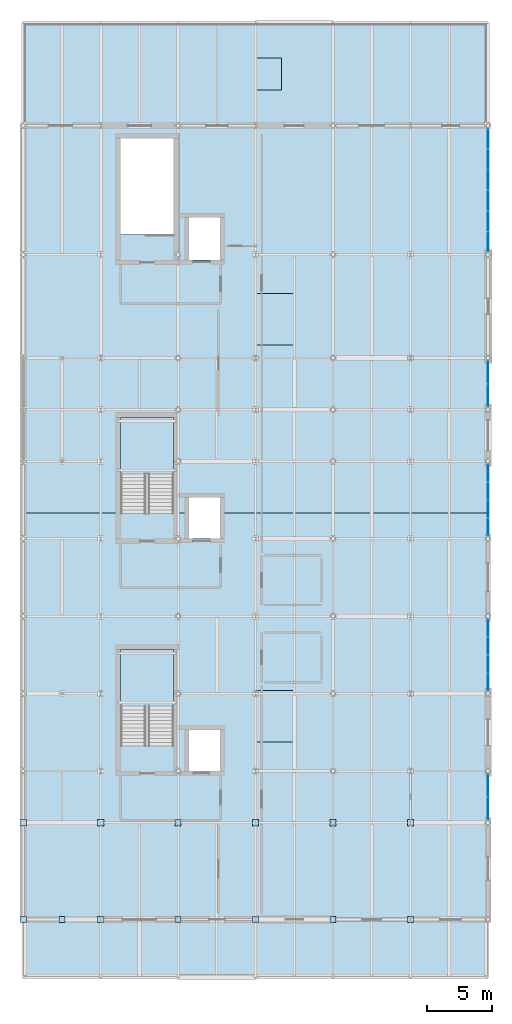
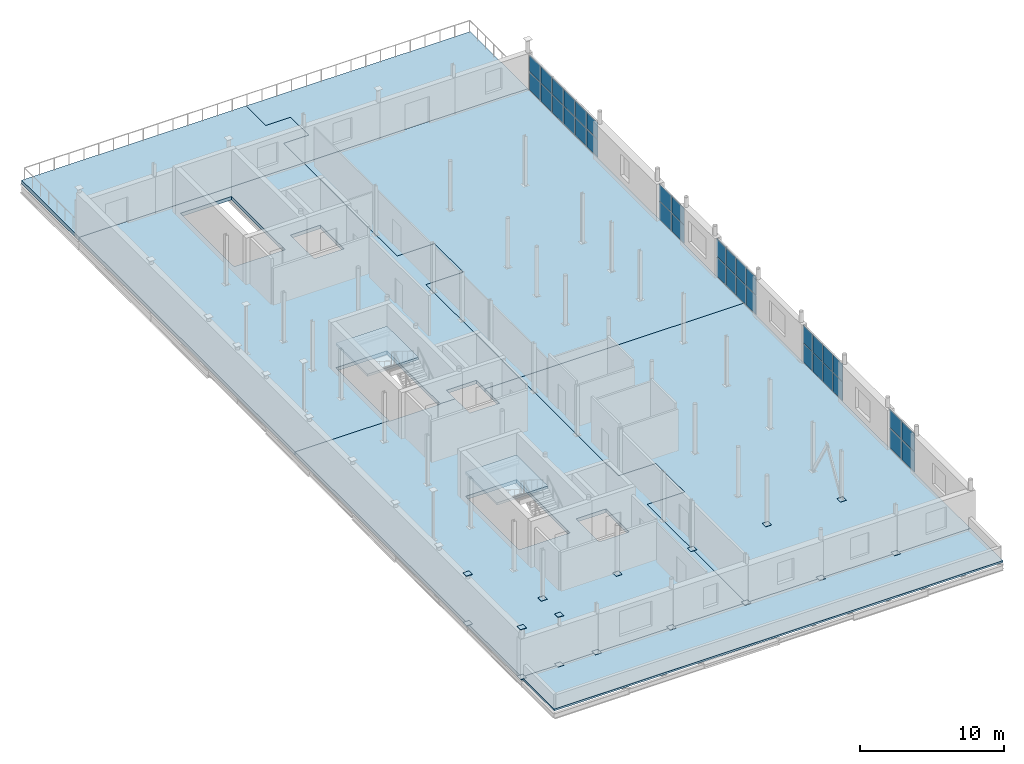
# One storey, part 22 of 30: 52 plates, 9 slabs, 7 elements without a shape of their own.
"""IFC4 building model written with IfcOpenShell, lengths in metres."""

from ifc_helpers import new_model, si_unit, direction, frame, origin, origin_2d, place, context, subcontext, project, spatial, polyline, rectangle, outline, extrude, material, layer, layer_set, type_object, element, aggregate, save


model = new_model("IFC4")

# Units and contexts
model_context = context("Model", 3, precision=1e-05, world=origin(), true_north=direction((0.0, 1.0)))
body_context = subcontext(model_context, "Body", "Model", "MODEL_VIEW")
ifc_project = project(units=[si_unit("LENGTHUNIT", "METRE"), si_unit("AREAUNIT", "SQUARE_METRE"), si_unit("VOLUMEUNIT", "CUBIC_METRE"), si_unit("PLANEANGLEUNIT", "RADIAN"), si_unit("MASSUNIT", "GRAM", prefix="KILO")], contexts=[model_context])

# Site, building, storey
site_placement = place(None, origin())
site = spatial("IfcSite", under=ifc_project, at=site_placement, CompositionType="ELEMENT")
building_placement = place(site_placement, origin())
building = spatial("IfcBuilding", under=site, at=building_placement, Name="Verrall Gate Interchange", CompositionType="ELEMENT")
storey_placement = place(building_placement, frame((0.0, 0.0, 19.39990234375)))
storey = spatial("IfcBuildingStorey", under=building, at=storey_placement, Name="L05", CompositionType="ELEMENT", Elevation=19.39990234375)

# Plates
ifc_material_1 = material(Name="Structural Steel CSA G40.21 350WT Cat 4", Category="steel")
ifc_layer_1 = layer(ifc_material_1, 0.0400390625)
ifc_layer_set_1 = layer_set([ifc_layer_1], Name="Structural Steel CSA G40.21 350WT Cat 4")
plate_type_1 = type_object("IfcPlateType", Name="BP-01 Base Plate 40", PredefinedType="USERDEFINED", material=ifc_layer_set_1)
for number, where, z_axis, x_axis, name in (
    (1, (0.0, 4.5, -0.02001953125), (0.0, 0.0, 1.0), (1.0, 0.0, 0.0), "L05 Hollow Column Transition Cap Plate 0014"),
    (2, (0.0, 4.5, 4.2001953125), (0.0, 0.0, 1.0), (1.0, 0.0, 0.0), "L05 Hollow Column Top Cap Plate 0015"),
    (3, (0.0, 12.0, -0.02001953125), (0.0, 0.0, 1.0), (1.0, 0.0, 0.0), "L05 Hollow Column Transition Cap Plate 0021"),
    (4, (0.0, 12.0, 4.2001953125), (0.0, 0.0, 1.0), (1.0, 0.0, 0.0), "L05 Hollow Column Top Cap Plate 0022"),
    (5, (3.0, 4.5, -0.02001953125), (0.0, 0.0, 1.0), (1.0, 0.0, 0.0), "L05 Hollow Column Transition Cap Plate 0106"),
    (6, (3.0, 4.5, 4.2001953125), (0.0, 0.0, 1.0), (1.0, 0.0, 0.0), "L05 Hollow Column Top Cap Plate 0107"),
    (7, (6.0, 4.5, -0.02001953125), (0.0, 0.0, 1.0), (1.0, 0.0, 0.0), "L05 Hollow Column Transition Cap Plate 0142"),
    (8, (6.0, 12.0, -0.02001953125), (0.0, 0.0, 1.0), (1.0, 0.0, 0.0), "L05 Hollow Column Transition Cap Plate 0150"),
    (9, (12.0, 4.5, -0.02001953125), (0.0, 0.0, 1.0), (1.0, 0.0, 0.0), "L05 Hollow Column Transition Cap Plate 0259"),
    (10, (12.0, 12.0, -0.02001953125), (0.0, 0.0, 1.0), (1.0, 0.0, 0.0), "L05 Hollow Column Transition Cap Plate 0267"),
    (11, (18.0, 4.5, -0.02001953125), (0.0, 0.0, 1.0), (1.0, 0.0, 0.0), "L05 Hollow Column Transition Cap Plate 0376"),
    (12, (18.0, 12.0, -0.02001953125), (0.0, 0.0, 1.0), (1.0, 0.0, 0.0), "L05 Hollow Column Transition Cap Plate 0384"),
    (13, (24.0, 4.5, -0.02001953125), (0.0, 0.0, 1.0), (1.0, 0.0, 0.0), "L05 Hollow Column Transition Cap Plate 0493"),
    (14, (24.0, 12.0, -0.02001953125), (0.0, 0.0, 1.0), (1.0, 0.0, 0.0), "L05 Hollow Column Transition Cap Plate 0501"),
    (15, (30.0, 4.5, -0.02001953125), (0.0, 0.0, 1.0), (1.0, 0.0, 0.0), "L05 Hollow Column Transition Cap Plate 0610"),
    (16, (30.0, 12.0, -0.02001953125), (0.0, 0.0, 1.0), (1.0, 0.0, 0.0), "L05 Hollow Column Transition Cap Plate 0618"),
):
    element("IfcPlate", number, at=place(storey_placement, frame(where, z_axis=z_axis, x_axis=x_axis)), inside=storey, type_object=plate_type_1, Name=name, ObjectType="BASE_PLATE", PredefinedType="USERDEFINED", context=body_context, shape_type="SweptSolid", body=[
        extrude(rectangle(XDim=0.47998046875, YDim=0.47998046875, at=origin_2d()), origin(), (0.0, 0.0, 1.0), 0.0400390625),
    ])

# Curtain wall, plates
ifc_material_2 = material(Name="Thermally Broken Anodized Aluminium Curtain Wall Framing", Category="aluminium")
curtain_wall_type_1 = type_object("IfcCurtainWallType", Name="CW-41 Unitized Curtain Wall 3612x3410", PredefinedType="NOTDEFINED", material=ifc_material_2)
curtain_wall_1_placement = place(storey_placement, origin())
curtain_wall_1 = element("IfcCurtainWall", 17, at=curtain_wall_1_placement, inside=storey, type_object=curtain_wall_type_1, Name="L05 Unitized Curtain Wall CW-L05-133", PredefinedType="NOTDEFINED")
ifc_material_3 = material(Name="Triple-Glazed Low-E Argon Insulated Curtain Panel (U=1.45)", Category="glass")
ifc_layer_2 = layer(ifc_material_3, 0.030029296875)
ifc_layer_set_2 = layer_set([ifc_layer_2], Name="Triple-Glazed Low-E Argon Insulated Curtain Panel (U=1.45)")
plate_type_2 = type_object("IfcPlateType", Name="CP-01 Curtain Glazing Panel 30", PredefinedType="CURTAIN_PANEL", material=ifc_layer_set_2)
plate_1_placement = place(storey_placement, frame((36.0, 13.11572265625, 0.06298828125), z_axis=(0.0, 0.0, 1.0), x_axis=(0.0, 1.0, 0.0)))
plate_1 = element("IfcPlate", 18, at=plate_1_placement, type_object=plate_type_2, Name="CW-L05-133 Glazing Panel 1.1", PredefinedType="CURTAIN_PANEL", context=body_context, shape_type="SweptSolid", body=[
    extrude(rectangle(XDim=1.717529296875, YDim=0.030029296875, at=origin_2d()), origin(), (0.0, 0.0, 1.0), 1.684814453125),
])
plate_2_placement = place(storey_placement, frame((36.0, 13.11572265625, 1.798828125), z_axis=(0.0, 0.0, 1.0), x_axis=(0.0, 1.0, 0.0)))
plate_2 = element("IfcPlate", 19, at=plate_2_placement, type_object=plate_type_2, Name="CW-L05-133 Glazing Panel 1.2", PredefinedType="CURTAIN_PANEL", context=body_context, shape_type="SweptSolid", body=[
    extrude(rectangle(XDim=1.717529296875, YDim=0.030029296875, at=origin_2d()), origin(), (0.0, 0.0, 1.0), 1.54833984375),
])
plate_3_placement = place(storey_placement, frame((36.0, 14.88427734375, 0.06298828125), z_axis=(0.0, 0.0, 1.0), x_axis=(0.0, 1.0, 0.0)))
plate_3 = element("IfcPlate", 20, at=plate_3_placement, type_object=plate_type_2, Name="CW-L05-133 Glazing Panel 2.1", PredefinedType="CURTAIN_PANEL", context=body_context, shape_type="SweptSolid", body=[
    extrude(rectangle(XDim=1.717529296875, YDim=0.030029296875, at=origin_2d()), origin(), (0.0, 0.0, 1.0), 1.684814453125),
])
plate_4_placement = place(storey_placement, frame((36.0, 14.88427734375, 1.798828125), z_axis=(0.0, 0.0, 1.0), x_axis=(0.0, 1.0, 0.0)))
plate_4 = element("IfcPlate", 21, at=plate_4_placement, type_object=plate_type_2, Name="CW-L05-133 Glazing Panel 2.2", PredefinedType="CURTAIN_PANEL", context=body_context, shape_type="SweptSolid", body=[
    extrude(rectangle(XDim=1.717529296875, YDim=0.030029296875, at=origin_2d()), origin(), (0.0, 0.0, 1.0), 1.54833984375),
])
aggregate(curtain_wall_1, [plate_1, plate_2, plate_3, plate_4])

ifc_material_4 = material(Name="Thermally Broken Anodized Aluminium Curtain Wall Framing", Category="aluminium")
curtain_wall_type_2 = type_object("IfcCurtainWallType", Name="CW-17 Unitized Curtain Wall 3631x3100", PredefinedType="NOTDEFINED", material=ifc_material_4)
curtain_wall_2_placement = place(storey_placement, origin())
curtain_wall_2 = element("IfcCurtainWall", 22, at=curtain_wall_2_placement, inside=storey, type_object=curtain_wall_type_2, Name="L05 Unitized Curtain Wall CW-L05-136", PredefinedType="NOTDEFINED")
plate_5_placement = place(storey_placement, frame((36.0, 45.11328125, 0.0546875), z_axis=(0.0, 0.0, 1.0), x_axis=(0.0, 1.0, 0.0)))
plate_5 = element("IfcPlate", 23, at=plate_5_placement, type_object=plate_type_2, Name="CW-L05-136 Glazing Panel 1.1", PredefinedType="CURTAIN_PANEL", context=body_context, shape_type="SweptSolid", body=[
    extrude(rectangle(XDim=1.7294921875, YDim=0.030029296875, at=origin_2d()), origin(), (0.0, 0.0, 1.0), 1.52490234375),
])
plate_6_placement = place(storey_placement, frame((36.0, 45.11328125, 1.6240234375), z_axis=(0.0, 0.0, 1.0), x_axis=(0.0, 1.0, 0.0)))
plate_6 = element("IfcPlate", 24, at=plate_6_placement, type_object=plate_type_2, Name="CW-L05-136 Glazing Panel 1.2", PredefinedType="CURTAIN_PANEL", context=body_context, shape_type="SweptSolid", body=[
    extrude(rectangle(XDim=1.7294921875, YDim=0.030029296875, at=origin_2d()), origin(), (0.0, 0.0, 1.0), 1.401611328125),
])
plate_7_placement = place(storey_placement, frame((36.0, 46.88671875, 0.0546875), z_axis=(0.0, 0.0, 1.0), x_axis=(0.0, 1.0, 0.0)))
plate_7 = element("IfcPlate", 25, at=plate_7_placement, type_object=plate_type_2, Name="CW-L05-136 Glazing Panel 2.1", PredefinedType="CURTAIN_PANEL", context=body_context, shape_type="SweptSolid", body=[
    extrude(rectangle(XDim=1.7294921875, YDim=0.030029296875, at=origin_2d()), origin(), (0.0, 0.0, 1.0), 1.52490234375),
])
plate_8_placement = place(storey_placement, frame((36.0, 46.88671875, 1.6240234375), z_axis=(0.0, 0.0, 1.0), x_axis=(0.0, 1.0, 0.0)))
plate_8 = element("IfcPlate", 26, at=plate_8_placement, type_object=plate_type_2, Name="CW-L05-136 Glazing Panel 2.2", PredefinedType="CURTAIN_PANEL", context=body_context, shape_type="SweptSolid", body=[
    extrude(rectangle(XDim=1.7294921875, YDim=0.030029296875, at=origin_2d()), origin(), (0.0, 0.0, 1.0), 1.401611328125),
])
aggregate(curtain_wall_2, [plate_5, plate_6, plate_7, plate_8])

ifc_material_5 = material(Name="Thermally Broken Anodized Aluminium Curtain Wall Framing", Category="aluminium")
curtain_wall_type_3 = type_object("IfcCurtainWallType", Name="CW-44 Unitized Curtain Wall 9612x3080", PredefinedType="NOTDEFINED", material=ifc_material_5)
curtain_wall_3_placement = place(storey_placement, origin())
curtain_wall_3 = element("IfcCurtainWall", 27, at=curtain_wall_3_placement, inside=storey, type_object=curtain_wall_type_3, Name="L05 Unitized Curtain Wall CW-L05-137", PredefinedType="NOTDEFINED")
plate_9_placement = place(storey_placement, frame((36.0, 57.013671875, 0.06298828125), z_axis=(0.0, 0.0, 1.0), x_axis=(0.0, 1.0, 0.0)))
plate_9 = element("IfcPlate", 28, at=plate_9_placement, type_object=plate_type_2, Name="CW-L05-137 Glazing Panel 1.1", PredefinedType="CURTAIN_PANEL", context=body_context, shape_type="SweptSolid", body=[
    extrude(rectangle(XDim=1.513427734375, YDim=0.030029296875, at=origin_2d()), origin(), (0.0, 0.0, 1.0), 1.51318359375),
])
plate_10_placement = place(storey_placement, frame((36.0, 57.013671875, 1.626953125), z_axis=(0.0, 0.0, 1.0), x_axis=(0.0, 1.0, 0.0)))
plate_10 = element("IfcPlate", 29, at=plate_10_placement, type_object=plate_type_2, Name="CW-L05-137 Glazing Panel 1.2", PredefinedType="CURTAIN_PANEL", context=body_context, shape_type="SweptSolid", body=[
    extrude(rectangle(XDim=1.513427734375, YDim=0.030029296875, at=origin_2d()), origin(), (0.0, 0.0, 1.0), 1.389892578125),
])
plate_11_placement = place(storey_placement, frame((36.0, 58.596923828125, 0.06298828125), z_axis=(0.0, 0.0, 1.0), x_axis=(0.0, 1.0, 0.0)))
plate_11 = element("IfcPlate", 30, at=plate_11_placement, type_object=plate_type_2, Name="CW-L05-137 Glazing Panel 2.1", PredefinedType="CURTAIN_PANEL", context=body_context, shape_type="SweptSolid", body=[
    extrude(rectangle(XDim=1.551025390625, YDim=0.030029296875, at=origin_2d()), origin(), (0.0, 0.0, 1.0), 1.51318359375),
])
plate_12_placement = place(storey_placement, frame((36.0, 58.596923828125, 1.626953125), z_axis=(0.0, 0.0, 1.0), x_axis=(0.0, 1.0, 0.0)))
plate_12 = element("IfcPlate", 31, at=plate_12_placement, type_object=plate_type_2, Name="CW-L05-137 Glazing Panel 2.2", PredefinedType="CURTAIN_PANEL", context=body_context, shape_type="SweptSolid", body=[
    extrude(rectangle(XDim=1.551025390625, YDim=0.030029296875, at=origin_2d()), origin(), (0.0, 0.0, 1.0), 1.389892578125),
])
plate_13_placement = place(storey_placement, frame((36.0, 60.198974609375, 0.06298828125), z_axis=(0.0, 0.0, 1.0), x_axis=(0.0, 1.0, 0.0)))
plate_13 = element("IfcPlate", 32, at=plate_13_placement, type_object=plate_type_2, Name="CW-L05-137 Glazing Panel 3.1", PredefinedType="CURTAIN_PANEL", context=body_context, shape_type="SweptSolid", body=[
    extrude(rectangle(XDim=1.551025390625, YDim=0.030029296875, at=origin_2d()), origin(), (0.0, 0.0, 1.0), 1.51318359375),
])
plate_14_placement = place(storey_placement, frame((36.0, 60.198974609375, 1.626953125), z_axis=(0.0, 0.0, 1.0), x_axis=(0.0, 1.0, 0.0)))
plate_14 = element("IfcPlate", 33, at=plate_14_placement, type_object=plate_type_2, Name="CW-L05-137 Glazing Panel 3.2", PredefinedType="CURTAIN_PANEL", context=body_context, shape_type="SweptSolid", body=[
    extrude(rectangle(XDim=1.551025390625, YDim=0.030029296875, at=origin_2d()), origin(), (0.0, 0.0, 1.0), 1.389892578125),
])
plate_15_placement = place(storey_placement, frame((36.0, 61.801025390625, 0.06298828125), z_axis=(0.0, 0.0, 1.0), x_axis=(0.0, 1.0, 0.0)))
plate_15 = element("IfcPlate", 34, at=plate_15_placement, type_object=plate_type_2, Name="CW-L05-137 Glazing Panel 4.1", PredefinedType="CURTAIN_PANEL", context=body_context, shape_type="SweptSolid", body=[
    extrude(rectangle(XDim=1.551025390625, YDim=0.030029296875, at=origin_2d()), origin(), (0.0, 0.0, 1.0), 1.51318359375),
])
plate_16_placement = place(storey_placement, frame((36.0, 61.801025390625, 1.626953125), z_axis=(0.0, 0.0, 1.0), x_axis=(0.0, 1.0, 0.0)))
plate_16 = element("IfcPlate", 35, at=plate_16_placement, type_object=plate_type_2, Name="CW-L05-137 Glazing Panel 4.2", PredefinedType="CURTAIN_PANEL", context=body_context, shape_type="SweptSolid", body=[
    extrude(rectangle(XDim=1.551025390625, YDim=0.030029296875, at=origin_2d()), origin(), (0.0, 0.0, 1.0), 1.389892578125),
])
plate_17_placement = place(storey_placement, frame((36.0, 63.403076171875, 0.06298828125), z_axis=(0.0, 0.0, 1.0), x_axis=(0.0, 1.0, 0.0)))
plate_17 = element("IfcPlate", 36, at=plate_17_placement, type_object=plate_type_2, Name="CW-L05-137 Glazing Panel 5.1", PredefinedType="CURTAIN_PANEL", context=body_context, shape_type="SweptSolid", body=[
    extrude(rectangle(XDim=1.551025390625, YDim=0.030029296875, at=origin_2d()), origin(), (0.0, 0.0, 1.0), 1.51318359375),
])
plate_18_placement = place(storey_placement, frame((36.0, 63.403076171875, 1.626953125), z_axis=(0.0, 0.0, 1.0), x_axis=(0.0, 1.0, 0.0)))
plate_18 = element("IfcPlate", 37, at=plate_18_placement, type_object=plate_type_2, Name="CW-L05-137 Glazing Panel 5.2", PredefinedType="CURTAIN_PANEL", context=body_context, shape_type="SweptSolid", body=[
    extrude(rectangle(XDim=1.551025390625, YDim=0.030029296875, at=origin_2d()), origin(), (0.0, 0.0, 1.0), 1.389892578125),
])
plate_19_placement = place(storey_placement, frame((36.0, 64.986083984375, 0.06298828125), z_axis=(0.0, 0.0, 1.0), x_axis=(0.0, 1.0, 0.0)))
plate_19 = element("IfcPlate", 38, at=plate_19_placement, type_object=plate_type_2, Name="CW-L05-137 Glazing Panel 6.1", PredefinedType="CURTAIN_PANEL", context=body_context, shape_type="SweptSolid", body=[
    extrude(rectangle(XDim=1.513427734375, YDim=0.030029296875, at=origin_2d()), origin(), (0.0, 0.0, 1.0), 1.51318359375),
])
plate_20_placement = place(storey_placement, frame((36.0, 64.986083984375, 1.626953125), z_axis=(0.0, 0.0, 1.0), x_axis=(0.0, 1.0, 0.0)))
plate_20 = element("IfcPlate", 39, at=plate_20_placement, type_object=plate_type_2, Name="CW-L05-137 Glazing Panel 6.2", PredefinedType="CURTAIN_PANEL", context=body_context, shape_type="SweptSolid", body=[
    extrude(rectangle(XDim=1.513427734375, YDim=0.030029296875, at=origin_2d()), origin(), (0.0, 0.0, 1.0), 1.389892578125),
])
aggregate(curtain_wall_3, [plate_9, plate_10, plate_11, plate_12, plate_13, plate_14, plate_15, plate_16, plate_17, plate_18, plate_19, plate_20])

ifc_material_6 = material(Name="Thermally Broken Anodized Aluminium Curtain Wall Framing", Category="aluminium")
curtain_wall_type_4 = type_object("IfcCurtainWallType", Name="CW-42 Unitized Curtain Wall 5612x3230", PredefinedType="NOTDEFINED", material=ifc_material_6)
curtain_wall_4_placement = place(storey_placement, origin())
curtain_wall_4 = element("IfcCurtainWall", 40, at=curtain_wall_4_placement, inside=storey, type_object=curtain_wall_type_4, Name="L05 Unitized Curtain Wall CW-L05-134", PredefinedType="NOTDEFINED")
ifc_material_7 = material(Name="Triple-Glazed Low-E Argon Insulated Curtain Panel (U=1.45)", Category="glass")
ifc_layer_3 = layer(ifc_material_7, 0.0400390625)
ifc_layer_set_3 = layer_set([ifc_layer_3], Name="Triple-Glazed Low-E Argon Insulated Curtain Panel (U=1.45)")
plate_type_3 = type_object("IfcPlateType", Name="CP-02 Curtain Glazing Panel 40", PredefinedType="CURTAIN_PANEL", material=ifc_layer_set_3)
plate_21_placement = place(storey_placement, frame((36.0, 22.91162109375, 0.0546875), z_axis=(0.0, 0.0, 1.0), x_axis=(0.0, 1.0, 0.0)))
plate_21 = element("IfcPlate", 41, at=plate_21_placement, type_object=plate_type_3, Name="CW-L05-134 Glazing Panel 1.1", PredefinedType="CURTAIN_PANEL", context=body_context, shape_type="SweptSolid", body=[
    extrude(rectangle(XDim=1.326416015625, YDim=0.0400390625, at=origin_2d()), origin(), (0.0, 0.0, 1.0), 1.602783203125),
])
plate_22_placement = place(storey_placement, frame((36.0, 22.91162109375, 1.70166015625), z_axis=(0.0, 0.0, 1.0), x_axis=(0.0, 1.0, 0.0)))
plate_22 = element("IfcPlate", 42, at=plate_22_placement, type_object=plate_type_3, Name="CW-L05-134 Glazing Panel 1.2", PredefinedType="CURTAIN_PANEL", context=body_context, shape_type="SweptSolid", body=[
    extrude(rectangle(XDim=1.326416015625, YDim=0.0400390625, at=origin_2d()), origin(), (0.0, 0.0, 1.0), 1.4736328125),
])
plate_23_placement = place(storey_placement, frame((36.0, 24.298583984375, 0.0546875), z_axis=(0.0, 0.0, 1.0), x_axis=(0.0, 1.0, 0.0)))
plate_23 = element("IfcPlate", 43, at=plate_23_placement, type_object=plate_type_3, Name="CW-L05-134 Glazing Panel 2.1", PredefinedType="CURTAIN_PANEL", context=body_context, shape_type="SweptSolid", body=[
    extrude(rectangle(XDim=1.35888671875, YDim=0.0400390625, at=origin_2d()), origin(), (0.0, 0.0, 1.0), 1.602783203125),
])
plate_24_placement = place(storey_placement, frame((36.0, 24.298583984375, 1.70166015625), z_axis=(0.0, 0.0, 1.0), x_axis=(0.0, 1.0, 0.0)))
plate_24 = element("IfcPlate", 44, at=plate_24_placement, type_object=plate_type_3, Name="CW-L05-134 Glazing Panel 2.2", PredefinedType="CURTAIN_PANEL", context=body_context, shape_type="SweptSolid", body=[
    extrude(rectangle(XDim=1.35888671875, YDim=0.0400390625, at=origin_2d()), origin(), (0.0, 0.0, 1.0), 1.4736328125),
])
plate_25_placement = place(storey_placement, frame((36.0, 25.701416015625, 0.0546875), z_axis=(0.0, 0.0, 1.0), x_axis=(0.0, 1.0, 0.0)))
plate_25 = element("IfcPlate", 45, at=plate_25_placement, type_object=plate_type_3, Name="CW-L05-134 Glazing Panel 3.1", PredefinedType="CURTAIN_PANEL", context=body_context, shape_type="SweptSolid", body=[
    extrude(rectangle(XDim=1.35888671875, YDim=0.0400390625, at=origin_2d()), origin(), (0.0, 0.0, 1.0), 1.602783203125),
])
plate_26_placement = place(storey_placement, frame((36.0, 25.701416015625, 1.70166015625), z_axis=(0.0, 0.0, 1.0), x_axis=(0.0, 1.0, 0.0)))
plate_26 = element("IfcPlate", 46, at=plate_26_placement, type_object=plate_type_3, Name="CW-L05-134 Glazing Panel 3.2", PredefinedType="CURTAIN_PANEL", context=body_context, shape_type="SweptSolid", body=[
    extrude(rectangle(XDim=1.35888671875, YDim=0.0400390625, at=origin_2d()), origin(), (0.0, 0.0, 1.0), 1.4736328125),
])
plate_27_placement = place(storey_placement, frame((36.0, 27.08837890625, 0.0546875), z_axis=(0.0, 0.0, 1.0), x_axis=(0.0, 1.0, 0.0)))
plate_27 = element("IfcPlate", 47, at=plate_27_placement, type_object=plate_type_3, Name="CW-L05-134 Glazing Panel 4.1", PredefinedType="CURTAIN_PANEL", context=body_context, shape_type="SweptSolid", body=[
    extrude(rectangle(XDim=1.326416015625, YDim=0.0400390625, at=origin_2d()), origin(), (0.0, 0.0, 1.0), 1.602783203125),
])
plate_28_placement = place(storey_placement, frame((36.0, 27.08837890625, 1.70166015625), z_axis=(0.0, 0.0, 1.0), x_axis=(0.0, 1.0, 0.0)))
plate_28 = element("IfcPlate", 48, at=plate_28_placement, type_object=plate_type_3, Name="CW-L05-134 Glazing Panel 4.2", PredefinedType="CURTAIN_PANEL", context=body_context, shape_type="SweptSolid", body=[
    extrude(rectangle(XDim=1.326416015625, YDim=0.0400390625, at=origin_2d()), origin(), (0.0, 0.0, 1.0), 1.4736328125),
])
aggregate(curtain_wall_4, [plate_21, plate_22, plate_23, plate_24, plate_25, plate_26, plate_27, plate_28])

ifc_material_8 = material(Name="Thermally Broken Anodized Aluminium Curtain Wall Framing", Category="aluminium")
curtain_wall_type_5 = type_object("IfcCurtainWallType", Name="CW-43 Unitized Curtain Wall 5612x3310", PredefinedType="NOTDEFINED", material=ifc_material_8)
curtain_wall_5_placement = place(storey_placement, origin())
curtain_wall_5 = element("IfcCurtainWall", 49, at=curtain_wall_5_placement, inside=storey, type_object=curtain_wall_type_5, Name="L05 Unitized Curtain Wall CW-L05-135", PredefinedType="NOTDEFINED")
plate_29_placement = place(storey_placement, frame((36.0, 34.9140625, 0.06298828125), z_axis=(0.0, 0.0, 1.0), x_axis=(0.0, 1.0, 0.0)))
plate_29 = element("IfcPlate", 50, at=plate_29_placement, type_object=plate_type_3, Name="CW-L05-135 Glazing Panel 1.1", PredefinedType="CURTAIN_PANEL", context=body_context, shape_type="SweptSolid", body=[
    extrude(rectangle(XDim=1.314453125, YDim=0.0400390625, at=origin_2d()), origin(), (0.0, 0.0, 1.0), 1.6328125),
])
plate_30_placement = place(storey_placement, frame((36.0, 34.9140625, 1.7470703125), z_axis=(0.0, 0.0, 1.0), x_axis=(0.0, 1.0, 0.0)))
plate_30 = element("IfcPlate", 51, at=plate_30_placement, type_object=plate_type_3, Name="CW-L05-135 Glazing Panel 1.2", PredefinedType="CURTAIN_PANEL", context=body_context, shape_type="SweptSolid", body=[
    extrude(rectangle(XDim=1.314453125, YDim=0.0400390625, at=origin_2d()), origin(), (0.0, 0.0, 1.0), 1.500244140625),
])
plate_31_placement = place(storey_placement, frame((36.0, 36.298583984375, 0.06298828125), z_axis=(0.0, 0.0, 1.0), x_axis=(0.0, 1.0, 0.0)))
plate_31 = element("IfcPlate", 52, at=plate_31_placement, type_object=plate_type_3, Name="CW-L05-135 Glazing Panel 2.1", PredefinedType="CURTAIN_PANEL", context=body_context, shape_type="SweptSolid", body=[
    extrude(rectangle(XDim=1.35205078125, YDim=0.0400390625, at=origin_2d()), origin(), (0.0, 0.0, 1.0), 1.6328125),
])
plate_32_placement = place(storey_placement, frame((36.0, 36.298583984375, 1.7470703125), z_axis=(0.0, 0.0, 1.0), x_axis=(0.0, 1.0, 0.0)))
plate_32 = element("IfcPlate", 53, at=plate_32_placement, type_object=plate_type_3, Name="CW-L05-135 Glazing Panel 2.2", PredefinedType="CURTAIN_PANEL", context=body_context, shape_type="SweptSolid", body=[
    extrude(rectangle(XDim=1.35205078125, YDim=0.0400390625, at=origin_2d()), origin(), (0.0, 0.0, 1.0), 1.500244140625),
])
plate_33_placement = place(storey_placement, frame((36.0, 37.701416015625, 0.06298828125), z_axis=(0.0, 0.0, 1.0), x_axis=(0.0, 1.0, 0.0)))
plate_33 = element("IfcPlate", 54, at=plate_33_placement, type_object=plate_type_3, Name="CW-L05-135 Glazing Panel 3.1", PredefinedType="CURTAIN_PANEL", context=body_context, shape_type="SweptSolid", body=[
    extrude(rectangle(XDim=1.35205078125, YDim=0.0400390625, at=origin_2d()), origin(), (0.0, 0.0, 1.0), 1.6328125),
])
plate_34_placement = place(storey_placement, frame((36.0, 37.701416015625, 1.7470703125), z_axis=(0.0, 0.0, 1.0), x_axis=(0.0, 1.0, 0.0)))
plate_34 = element("IfcPlate", 55, at=plate_34_placement, type_object=plate_type_3, Name="CW-L05-135 Glazing Panel 3.2", PredefinedType="CURTAIN_PANEL", context=body_context, shape_type="SweptSolid", body=[
    extrude(rectangle(XDim=1.35205078125, YDim=0.0400390625, at=origin_2d()), origin(), (0.0, 0.0, 1.0), 1.500244140625),
])
plate_35_placement = place(storey_placement, frame((36.0, 39.085693359375, 0.06298828125), z_axis=(0.0, 0.0, 1.0), x_axis=(0.0, 1.0, 0.0)))
plate_35 = element("IfcPlate", 56, at=plate_35_placement, type_object=plate_type_3, Name="CW-L05-135 Glazing Panel 4.1", PredefinedType="CURTAIN_PANEL", context=body_context, shape_type="SweptSolid", body=[
    extrude(rectangle(XDim=1.314697265625, YDim=0.0400390625, at=origin_2d()), origin(), (0.0, 0.0, 1.0), 1.6328125),
])
plate_36_placement = place(storey_placement, frame((36.0, 39.085693359375, 1.7470703125), z_axis=(0.0, 0.0, 1.0), x_axis=(0.0, 1.0, 0.0)))
plate_36 = element("IfcPlate", 57, at=plate_36_placement, type_object=plate_type_3, Name="CW-L05-135 Glazing Panel 4.2", PredefinedType="CURTAIN_PANEL", context=body_context, shape_type="SweptSolid", body=[
    extrude(rectangle(XDim=1.314697265625, YDim=0.0400390625, at=origin_2d()), origin(), (0.0, 0.0, 1.0), 1.500244140625),
])
aggregate(curtain_wall_5, [plate_29, plate_30, plate_31, plate_32, plate_33, plate_34, plate_35, plate_36])

# Slabs
ifc_material_9 = material(Name="Concrete CSA A23.1 40 MPa (Class C-1)", Category="concrete")
ifc_layer_4 = layer(ifc_material_9, 0.320068359375)
ifc_layer_set_4 = layer_set([ifc_layer_4], Name="Concrete CSA A23.1 40 MPa (Class C-1)")
slab_type_1 = type_object("IfcSlabType", Name="FS-06 Floor Slab 320", PredefinedType="FLOOR", material=ifc_layer_set_4)
slab_1_placement = place(storey_placement, frame((0.0, 0.0, -0.31982421875)))
element("IfcSlab", 58, at=slab_1_placement, inside=storey, type_object=slab_type_1, Name="L05 Structural Slab SLB-L05-RG1A", PredefinedType="FLOOR", context=body_context, shape_type="SweptSolid", body=[
    extrude(outline(polyline([(0.0, 74.0), (18.0, 74.0), (18.0, 71.25), (20.0, 71.25), (20.0, 68.75), (18.0, 68.75), (18.0, 66.0), (0.0, 66.0), (0.0, 74.0)])), origin(), (0.0, 0.0, 1.0), 0.31982421875),
])
slab_2_placement = place(storey_placement, frame((0.0, 0.0, -0.31982421875)))
element("IfcSlab", 59, at=slab_2_placement, inside=storey, type_object=slab_type_1, Name="L05 Structural Slab SLB-L05-RG1B", PredefinedType="FLOOR", context=body_context, shape_type="SweptSolid", body=[
    extrude(outline(polyline([(36.0, 66.0), (18.0, 66.0), (18.0, 68.75), (20.0, 68.75), (20.0, 71.25), (18.0, 71.25), (18.0, 74.0), (36.0, 74.0), (36.0, 66.0)])), origin(), (0.0, 0.0, 1.0), 0.31982421875),
])
ifc_material_10 = material(Name="Concrete CSA A23.1 40 MPa (Class N)", Category="concrete")
ifc_layer_5 = layer(ifc_material_10, 0.300048828125)
ifc_layer_set_5 = layer_set([ifc_layer_5], Name="Concrete CSA A23.1 40 MPa (Class N)")
slab_type_2 = type_object("IfcSlabType", Name="FS-07 Floor Slab 300", PredefinedType="FLOOR", material=ifc_layer_set_5)
slab_3_placement = place(storey_placement, frame((0.0, 0.0, -0.2998046875)))
element("IfcSlab", 60, at=slab_3_placement, inside=storey, type_object=slab_type_2, Name="L05 Structural Slab SLB-L05-01", PredefinedType="FLOOR", context=body_context, shape_type="SweptSolid", body=[
    extrude(outline(polyline([(0.0, 4.5), (0.0, 36.0), (7.550048828125, 36.0), (7.550048828125, 35.949951171875), (11.64990234375, 35.949951171875), (11.64990234375, 36.0), (12.85009765625, 36.0), (12.85009765625, 34.0), (15.25, 34.0), (15.25, 36.0), (18.0, 36.0), (18.0, 22.25), (21.0, 22.25), (21.0, 18.25), (18.0, 18.25), (18.0, 4.5), (0.0, 4.5)]), holes=[polyline([(12.85009765625, 16.0), (15.25, 16.0), (15.25, 19.199951171875), (12.85009765625, 19.199951171875), (12.85009765625, 16.0)]), polyline([(7.550048828125, 25.39990234375), (7.550048828125, 17.949951171875), (11.64990234375, 17.949951171875), (11.64990234375, 25.39990234375), (7.550048828125, 25.39990234375)])]), origin(), (0.0, 0.0, 1.0), 0.2998046875),
])
slab_4_placement = place(storey_placement, frame((0.0, 0.0, -0.2998046875)))
element("IfcSlab", 61, at=slab_4_placement, inside=storey, type_object=slab_type_2, Name="L05 Structural Slab SLB-L05-02", PredefinedType="FLOOR", context=body_context, shape_type="SweptSolid", body=[
    extrude(outline(polyline([(36.0, 4.5), (18.0, 4.5), (18.0, 18.25), (21.0, 18.25), (21.0, 22.25), (18.0, 22.25), (18.0, 36.0), (36.0, 36.0), (36.0, 4.5)])), origin(), (0.0, 0.0, 1.0), 0.2998046875),
])
slab_5_placement = place(storey_placement, frame((0.0, 0.0, -0.2998046875)))
element("IfcSlab", 62, at=slab_5_placement, inside=storey, type_object=slab_type_2, Name="L05 Structural Slab SLB-L05-03", PredefinedType="FLOOR", context=body_context, shape_type="SweptSolid", body=[
    extrude(outline(polyline([(15.25, 37.199951171875), (12.85009765625, 37.199951171875), (12.85009765625, 36.0), (11.64990234375, 36.0), (11.64990234375, 43.39990234375), (7.550048828125, 43.39990234375), (7.550048828125, 36.0), (0.0, 36.0), (0.0, 66.0), (18.0, 66.0), (18.0, 53.0), (21.0, 53.0), (21.0, 49.0), (18.0, 49.0), (18.0, 36.0), (15.25, 36.0), (15.25, 37.199951171875)]), holes=[polyline([(12.85009765625, 55.60009765625), (15.25, 55.60009765625), (15.25, 58.89990234375), (12.85009765625, 58.89990234375), (12.85009765625, 55.60009765625)]), polyline([(7.550048828125, 57.550048828125), (11.64990234375, 57.550048828125), (11.64990234375, 65.0), (7.550048828125, 65.0), (7.550048828125, 57.550048828125)])]), origin(), (0.0, 0.0, 1.0), 0.2998046875),
])
slab_6_placement = place(storey_placement, frame((0.0, 0.0, -0.2998046875)))
element("IfcSlab", 63, at=slab_6_placement, inside=storey, type_object=slab_type_2, Name="L05 Structural Slab SLB-L05-04", PredefinedType="FLOOR", context=body_context, shape_type="SweptSolid", body=[
    extrude(outline(polyline([(36.0, 36.0), (18.0, 36.0), (18.0, 49.0), (21.0, 49.0), (21.0, 53.0), (18.0, 53.0), (18.0, 66.0), (36.0, 66.0), (36.0, 36.0)])), origin(), (0.0, 0.0, 1.0), 0.2998046875),
])

# Stair, slab
ifc_material_11 = material(Name="Concrete CSA A23.1 40 MPa (Class N)", Category="concrete")
stair_type = type_object("IfcStairType", Name="ST-T05 Straight-Flight Return Exit Stair W1950 H4200", PredefinedType="STRAIGHT_RUN_STAIR", material=ifc_material_11)
stair_1_placement = place(storey_placement, origin())
stair_1 = element("IfcStair", 64, at=stair_1_placement, inside=storey, type_object=stair_type, Name="L05 ST-01", PredefinedType="STRAIGHT_RUN_STAIR")
ifc_material_12 = material(Name="Concrete CSA A23.1 40 MPa (Class N)", Category="concrete")
ifc_layer_6 = layer(ifc_material_12, 0.18994140625)
ifc_layer_set_6 = layer_set([ifc_layer_6], Name="Concrete CSA A23.1 40 MPa (Class N)")
slab_type_3 = type_object("IfcSlabType", Name="LS-01 Stair Landing Slab 190", PredefinedType="LANDING", material=ifc_layer_set_6)
slab_7_placement = place(storey_placement, frame((0.0, 0.0, 1.900146484375)))
slab_7 = element("IfcSlab", 65, at=slab_7_placement, type_object=slab_type_3, Name="ST-01 landing 1", PredefinedType="LANDING", context=body_context, shape_type="SweptSolid", body=[
    extrude(outline(polyline([(11.64990234375, 21.030029296875), (11.64990234375, 25.39990234375), (7.550048828125, 25.39990234375), (7.550048828125, 21.030029296875), (11.64990234375, 21.030029296875)])), origin(), (0.0, 0.0, 1.0), 0.199951171875),
])
aggregate(stair_1, [slab_7])

stair_2_placement = place(storey_placement, origin())
stair_2 = element("IfcStair", 66, at=stair_2_placement, inside=storey, type_object=stair_type, Name="L05 ST-02", PredefinedType="STRAIGHT_RUN_STAIR")
slab_8_placement = place(storey_placement, frame((0.0, 0.0, 1.900146484375)))
slab_8 = element("IfcSlab", 67, at=slab_8_placement, type_object=slab_type_3, Name="ST-02 landing 1", PredefinedType="LANDING", context=body_context, shape_type="SweptSolid", body=[
    extrude(outline(polyline([(11.64990234375, 39.030029296875), (11.64990234375, 43.39990234375), (7.550048828125, 43.39990234375), (7.550048828125, 39.030029296875), (11.64990234375, 39.030029296875)])), origin(), (0.0, 0.0, 1.0), 0.199951171875),
])
aggregate(stair_2, [slab_8])

# Slab
ifc_material_13 = material(Name="Concrete CSA A23.1 40 MPa (Class C-1)", Category="concrete")
ifc_layer_7 = layer(ifc_material_13, 0.159912109375)
ifc_layer_set_7 = layer_set([ifc_layer_7], Name="Concrete CSA A23.1 40 MPa (Class C-1)")
slab_type_4 = type_object("IfcSlabType", Name="RS-03 Roof Slab 160", PredefinedType="ROOF", material=ifc_layer_set_7)
slab_9_placement = place(storey_placement, frame((0.0, 0.0, -0.159912109375)))
element("IfcSlab", 68, at=slab_9_placement, inside=storey, type_object=slab_type_4, Name="L05 Structural Slab SLB-L05-MR1", PredefinedType="ROOF", context=body_context, shape_type="SweptSolid", body=[
    extrude(outline(polyline([(0.0, 4.5), (18.0, 4.5), (36.0, 4.5), (36.0, 0.0), (0.0, 0.0), (0.0, 4.5)])), origin(), (0.0, 0.0, 1.0), 0.159912109375),
])

save(model, "model.ifc")
